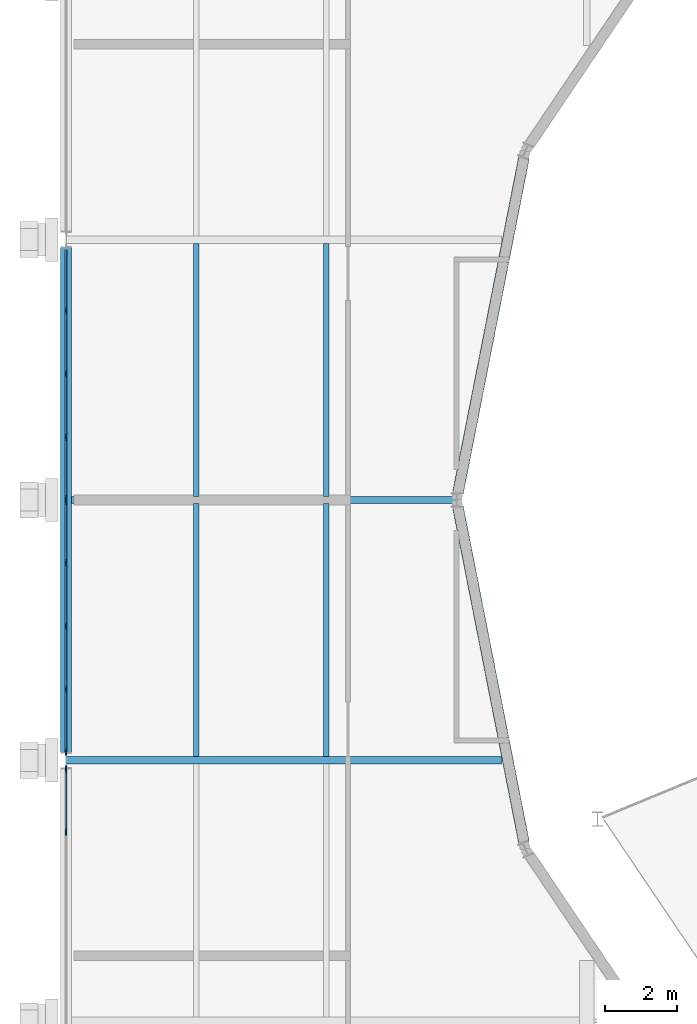
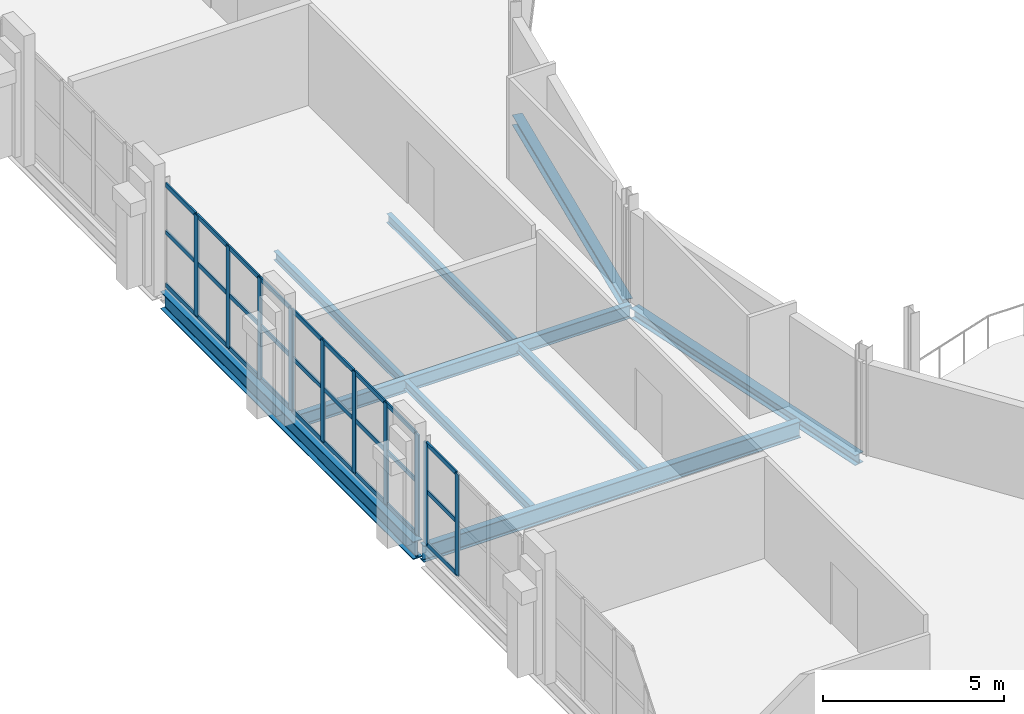
# One storey, part 35 of 124: 38 members, 9 beams, 3 elements without a shape of their own.
"""IFC4 building model written with IfcOpenShell, lengths in metres."""

from ifc_helpers import new_model, si_unit, direction, frame, origin, origin_2d, place, context, subcontext, project, spatial, rectangle, i_section, extrude, material, material_profile, profile_set, type_object, element, aggregate, save


model = new_model("IFC4")

# Units and contexts
model_context = context("Model", 3, precision=1e-05, world=origin(), true_north=direction((0.0, 1.0)))
body_context = subcontext(model_context, "Body", "Model", "MODEL_VIEW")
ifc_project = project(units=[si_unit("LENGTHUNIT", "METRE"), si_unit("AREAUNIT", "SQUARE_METRE"), si_unit("VOLUMEUNIT", "CUBIC_METRE"), si_unit("PLANEANGLEUNIT", "RADIAN"), si_unit("MASSUNIT", "GRAM", prefix="KILO")], contexts=[model_context])

# Site, building, storey
site_placement = place(None, origin())
site = spatial("IfcSite", under=ifc_project, at=site_placement, CompositionType="ELEMENT")
building_placement = place(site_placement, origin())
building = spatial("IfcBuilding", under=site, at=building_placement, Name="Kupolbacken Congress Centre", CompositionType="ELEMENT")
storey_placement = place(building_placement, frame((0.0, 0.0, 10.800048828125)))
storey = spatial("IfcBuildingStorey", under=building, at=storey_placement, Name="L03", CompositionType="ELEMENT", Elevation=10.800048828125)

# Beams
ifc_material_1 = material(Name="Steel S355", Category="steel")
ifc_material_profile_1 = material_profile(ifc_material_1, i_section(OverallWidth=0.14990234375, OverallDepth=0.300048828125, WebThickness=0.007080078125, FlangeThickness=0.0107421875, FilletRadius=0.014892578125, at=origin_2d()), Name="IPE 300")
ifc_profile_set_1 = profile_set([ifc_material_profile_1], Name="Steel S355")
beam_type_1 = type_object("IfcBeamType", Name="B04 beam IPE 300", PredefinedType="BEAM", material=ifc_profile_set_1)
for number, where, z_axis, x_axis, name in (
    (1, (10.800048828125, 79.304931640625, -0.330078125), (0.0, 1.0, 0.0), (-1.0, 0.0, 0.0), "S/floor/P/L03/S079"),
    (2, (10.800048828125, 86.4951171875, -0.330078125), (0.0, 1.0, 0.0), (-1.0, 0.0, 0.0), "S/floor/P/L03/S080"),
    (3, (14.39990234375, 79.304931640625, -0.330078125), (0.0, 1.0, 0.0), (-1.0, 0.0, 0.0), "S/floor/P/L03/S089"),
    (4, (14.39990234375, 86.4951171875, -0.330078125), (0.0, 1.0, 0.0), (-1.0, 0.0, 0.0), "S/floor/P/L03/S090"),
):
    element("IfcBeam", number, at=place(storey_placement, frame(where, z_axis=z_axis, x_axis=x_axis)), inside=storey, type_object=beam_type_1, Name=name, PredefinedType="BEAM", context=body_context, shape_type="SweptSolid", body=[
        extrude(i_section(OverallWidth=0.14990234375, OverallDepth=0.300048828125, WebThickness=0.007080078125, FlangeThickness=0.0107421875, FilletRadius=0.014892578125, at=origin_2d()), origin(), (0.0, 0.0, 1.0), 7.0),
    ])
ifc_material_2 = material(Name="Steel S355", Category="steel")
ifc_material_profile_2 = material_profile(ifc_material_2, i_section(OverallWidth=0.18994140625, OverallDepth=0.449951171875, WebThickness=0.009521484375, FlangeThickness=0.0146484375, FilletRadius=0.02099609375, at=origin_2d()), Name="IPE 450")
ifc_profile_set_2 = profile_set([ifc_material_profile_2], Name="Steel S355")
beam_type_2 = type_object("IfcBeamType", Name="B08 beam IPE 450", PredefinedType="BEAM", material=ifc_profile_set_2)
beam_1_placement = place(storey_placement, frame((7.35009765625, 86.39990234375, -0.405029296875), z_axis=(1.0, 0.0, 0.0), x_axis=(0.0, 1.0, 0.0)))
element("IfcBeam", 5, at=beam_1_placement, inside=storey, type_object=beam_type_2, Name="S/floor/P/L03/R053", PredefinedType="BEAM", context=body_context, shape_type="SweptSolid", body=[
    extrude(i_section(OverallWidth=0.18994140625, OverallDepth=0.449951171875, WebThickness=0.009521484375, FlangeThickness=0.0146484375, FilletRadius=0.02099609375, at=origin_2d()), origin(), (0.0, 0.0, 1.0), 10.64306640625),
])
ifc_material_3 = material(Name="Steel S355", Category="steel")
ifc_material_profile_3 = material_profile(ifc_material_3, i_section(OverallWidth=0.2099609375, OverallDepth=0.550048828125, WebThickness=0.010986328125, FlangeThickness=0.01708984375, FilletRadius=0.02392578125, at=origin_2d()), Name="IPE 550")
ifc_profile_set_3 = profile_set([ifc_material_profile_3], Name="Steel S355")
beam_type_3 = type_object("IfcBeamType", Name="B10 beam IPE 550", PredefinedType="BEAM", material=ifc_profile_set_3)
beam_2_placement = place(storey_placement, frame((7.20703125, 79.199951171875, -0.455078125), z_axis=(1.0, 0.0, 0.0), x_axis=(0.0, 1.0, 0.0)))
element("IfcBeam", 6, at=beam_2_placement, inside=storey, type_object=beam_type_3, Name="S/floor/P/L03/R051", PredefinedType="BEAM", context=body_context, shape_type="SweptSolid", body=[
    extrude(i_section(OverallWidth=0.2099609375, OverallDepth=0.550048828125, WebThickness=0.010986328125, FlangeThickness=0.01708984375, FilletRadius=0.02392578125, at=origin_2d()), origin(), (0.0, 0.0, 1.0), 12.037109375),
])
ifc_material_4 = material(Name="Steel S355", Category="steel")
ifc_material_profile_4 = material_profile(ifc_material_4, i_section(OverallWidth=0.300048828125, OverallDepth=0.35009765625, WebThickness=0.010009765625, FlangeThickness=0.017578125, FilletRadius=0.027099609375, at=origin_2d()), Name="HEA 360")
ifc_profile_set_4 = profile_set([ifc_material_profile_4], Name="Steel S355")
beam_type_4 = type_object("IfcBeamType", Name="B13 beam HEA 360", PredefinedType="BEAM", material=ifc_profile_set_4)
for number, where, z_axis, x_axis, name in (
    (7, (19.860595703125, 95.849853515625, -0.35498046875), (-0.193191886678, -0.981160993376, 0.0), (0.981160993376, -0.193191886678, 0.0), "S/floor/P/L03/C008"),
    (8, (18.039306640625, 86.199951171875, -0.35498046875), (0.193191886678, -0.981160993376, 0.0), (0.981160993376, 0.193191886678, 0.0), "S/floor/P/L03/C009"),
):
    element("IfcBeam", number, at=place(storey_placement, frame(where, z_axis=z_axis, x_axis=x_axis)), inside=storey, type_object=beam_type_4, Name=name, PredefinedType="BEAM", context=body_context, shape_type="SweptSolid", body=[
        extrude(i_section(OverallWidth=0.300048828125, OverallDepth=0.35009765625, WebThickness=0.010009765625, FlangeThickness=0.017578125, FilletRadius=0.027099609375, at=origin_2d()), origin(), (0.0, 0.0, 1.0), 9.42724609375),
    ])
ifc_material_5 = material(Name="Steel S355", Category="steel")
ifc_material_profile_5 = material_profile(ifc_material_5, i_section(OverallWidth=0.300048828125, OverallDepth=0.60009765625, WebThickness=0.015380859375, FlangeThickness=0.030029296875, FilletRadius=0.027099609375, at=origin_2d()), Name="HEB 600")
ifc_profile_set_5 = profile_set([ifc_material_profile_5], Name="Steel S355")
beam_type_5 = type_object("IfcBeamType", Name="B15 beam HEB 600", PredefinedType="BEAM", material=ifc_profile_set_5)
beam_3_placement = place(storey_placement, frame((7.199951171875, 79.425048828125, -0.47998046875), z_axis=(0.0, 1.0, 0.0), x_axis=(-1.0, 0.0, 0.0)))
element("IfcBeam", 9, at=beam_3_placement, inside=storey, type_object=beam_type_5, Name="S/floor/P/L03/G019", PredefinedType="BEAM", context=body_context, shape_type="SweptSolid", body=[
    extrude(i_section(OverallWidth=0.300048828125, OverallDepth=0.60009765625, WebThickness=0.015380859375, FlangeThickness=0.030029296875, FilletRadius=0.027099609375, at=origin_2d()), origin(), (0.0, 0.0, 1.0), 13.949951171875),
])

# Curtain wall, members
ifc_material_6 = material(Name="Aluminium mullion-transom frame with glass", Category="aluminium")
curtain_wall_type = type_object("IfcCurtainWallType", Name="CW1 curtain wall 7200x3600", PredefinedType="NOTDEFINED", material=ifc_material_6)
curtain_wall_1_placement = place(storey_placement, origin())
curtain_wall_1 = element("IfcCurtainWall", 10, at=curtain_wall_1_placement, inside=storey, type_object=curtain_wall_type, Name="E/P/W/L03/389", PredefinedType="NOTDEFINED")
ifc_material_7 = material(Name="Aluminium alloy", Category="aluminium")
ifc_material_profile_6 = material_profile(ifc_material_7, rectangle(XDim=0.050048828125, YDim=0.199951171875, at=origin_2d()), Name="50 x 200")
ifc_profile_set_6 = profile_set([ifc_material_profile_6], Name="Aluminium alloy")
member_type_1 = type_object("IfcMemberType", Name="MU2 mullion 50x200", PredefinedType="MULLION", material=ifc_profile_set_6)
member_1_placement = place(storey_placement, frame((7.199951171875, 91.63134765625, 0.0), z_axis=(0.0, 0.0, 1.0), x_axis=(1.0, 0.0, 0.0)))
member_1 = element("IfcMember", 11, at=member_1_placement, type_object=member_type_1, Name="CW1 mullion 2", PredefinedType="MULLION", context=body_context, shape_type="SweptSolid", body=[
    extrude(rectangle(XDim=0.050048828125, YDim=0.199951171875, at=origin_2d()), origin(), (0.0, 0.0, 1.0), 3.419921875),
])
member_2_placement = place(storey_placement, frame((7.199951171875, 89.887451171875, 0.0), z_axis=(0.0, 0.0, 1.0), x_axis=(1.0, 0.0, 0.0)))
member_2 = element("IfcMember", 12, at=member_2_placement, type_object=member_type_1, Name="CW1 mullion 3", PredefinedType="MULLION", context=body_context, shape_type="SweptSolid", body=[
    extrude(rectangle(XDim=0.050048828125, YDim=0.199951171875, at=origin_2d()), origin(), (0.0, 0.0, 1.0), 3.419921875),
])
member_3_placement = place(storey_placement, frame((7.199951171875, 88.143798828125, 0.0), z_axis=(0.0, 0.0, 1.0), x_axis=(1.0, 0.0, 0.0)))
member_3 = element("IfcMember", 13, at=member_3_placement, type_object=member_type_1, Name="CW1 mullion 4", PredefinedType="MULLION", context=body_context, shape_type="SweptSolid", body=[
    extrude(rectangle(XDim=0.050048828125, YDim=0.199951171875, at=origin_2d()), origin(), (0.0, 0.0, 1.0), 3.419921875),
])
member_4_placement = place(storey_placement, frame((7.199951171875, 86.425048828125, 0.0), z_axis=(0.0, 0.0, 1.0), x_axis=(1.0, 0.0, 0.0)))
member_4 = element("IfcMember", 14, at=member_4_placement, type_object=member_type_1, Name="CW1 mullion 5", PredefinedType="MULLION", context=body_context, shape_type="SweptSolid", body=[
    extrude(rectangle(XDim=0.050048828125, YDim=0.199951171875, at=origin_2d()), origin(), (0.0, 0.0, 1.0), 3.419921875),
])

curtain_wall_2_placement = place(storey_placement, origin())
curtain_wall_2 = element("IfcCurtainWall", 15, at=curtain_wall_2_placement, inside=storey, type_object=curtain_wall_type, Name="E/P/W/L03/390", PredefinedType="NOTDEFINED")
member_5_placement = place(storey_placement, frame((7.199951171875, 86.375, 0.0), z_axis=(0.0, 0.0, 1.0), x_axis=(1.0, 0.0, 0.0)))
member_5 = element("IfcMember", 16, at=member_5_placement, type_object=member_type_1, Name="CW1 mullion 1", PredefinedType="MULLION", context=body_context, shape_type="SweptSolid", body=[
    extrude(rectangle(XDim=0.050048828125, YDim=0.199951171875, at=origin_2d()), origin(), (0.0, 0.0, 1.0), 3.419921875),
])
member_6_placement = place(storey_placement, frame((7.199951171875, 84.65625, 0.0), z_axis=(0.0, 0.0, 1.0), x_axis=(1.0, 0.0, 0.0)))
member_6 = element("IfcMember", 17, at=member_6_placement, type_object=member_type_1, Name="CW1 mullion 2", PredefinedType="MULLION", context=body_context, shape_type="SweptSolid", body=[
    extrude(rectangle(XDim=0.050048828125, YDim=0.199951171875, at=origin_2d()), origin(), (0.0, 0.0, 1.0), 3.419921875),
])
member_7_placement = place(storey_placement, frame((7.199951171875, 82.91259765625, 0.0), z_axis=(0.0, 0.0, 1.0), x_axis=(1.0, 0.0, 0.0)))
member_7 = element("IfcMember", 18, at=member_7_placement, type_object=member_type_1, Name="CW1 mullion 3", PredefinedType="MULLION", context=body_context, shape_type="SweptSolid", body=[
    extrude(rectangle(XDim=0.050048828125, YDim=0.199951171875, at=origin_2d()), origin(), (0.0, 0.0, 1.0), 3.419921875),
])
member_8_placement = place(storey_placement, frame((7.199951171875, 81.168701171875, 0.0), z_axis=(0.0, 0.0, 1.0), x_axis=(1.0, 0.0, 0.0)))
member_8 = element("IfcMember", 19, at=member_8_placement, type_object=member_type_1, Name="CW1 mullion 4", PredefinedType="MULLION", context=body_context, shape_type="SweptSolid", body=[
    extrude(rectangle(XDim=0.050048828125, YDim=0.199951171875, at=origin_2d()), origin(), (0.0, 0.0, 1.0), 3.419921875),
])
member_9_placement = place(storey_placement, frame((7.199951171875, 79.449951171875, 0.0), z_axis=(0.0, 0.0, 1.0), x_axis=(1.0, 0.0, 0.0)))
member_9 = element("IfcMember", 20, at=member_9_placement, type_object=member_type_1, Name="CW1 mullion 5", PredefinedType="MULLION", context=body_context, shape_type="SweptSolid", body=[
    extrude(rectangle(XDim=0.050048828125, YDim=0.199951171875, at=origin_2d()), origin(), (0.0, 0.0, 1.0), 3.419921875),
])

curtain_wall_3_placement = place(storey_placement, origin())
curtain_wall_3 = element("IfcCurtainWall", 21, at=curtain_wall_3_placement, inside=storey, type_object=curtain_wall_type, Name="E/P/W/L03/391", PredefinedType="NOTDEFINED")
member_10_placement = place(storey_placement, frame((7.199951171875, 78.949951171875, 0.0), z_axis=(0.0, 0.0, 1.0), x_axis=(1.0, 0.0, 0.0)))
member_10 = element("IfcMember", 22, at=member_10_placement, type_object=member_type_1, Name="CW1 mullion 1", PredefinedType="MULLION", context=body_context, shape_type="SweptSolid", body=[
    extrude(rectangle(XDim=0.050048828125, YDim=0.199951171875, at=origin_2d()), origin(), (0.0, 0.0, 1.0), 3.419921875),
])
member_11_placement = place(storey_placement, frame((7.199951171875, 77.231201171875, 0.0), z_axis=(0.0, 0.0, 1.0), x_axis=(1.0, 0.0, 0.0)))
member_11 = element("IfcMember", 23, at=member_11_placement, type_object=member_type_1, Name="CW1 mullion 2", PredefinedType="MULLION", context=body_context, shape_type="SweptSolid", body=[
    extrude(rectangle(XDim=0.050048828125, YDim=0.199951171875, at=origin_2d()), origin(), (0.0, 0.0, 1.0), 3.419921875),
])

# Member
ifc_material_8 = material(Name="Aluminium alloy", Category="aluminium")
ifc_material_profile_7 = material_profile(ifc_material_8, rectangle(XDim=0.050048828125, YDim=0.14990234375, at=origin_2d()), Name="50 x 150")
ifc_profile_set_7 = profile_set([ifc_material_profile_7], Name="Aluminium alloy")
member_type_2 = type_object("IfcMemberType", Name="TR2 transom 50x150", PredefinedType="MULLION", material=ifc_profile_set_7)
member_12_placement = place(storey_placement, frame((7.199951171875, 93.324951171875, 0.02490234375), z_axis=(0.0, -1.0, 0.0), x_axis=(1.0, 0.0, 0.0)))
member_12 = element("IfcMember", 24, at=member_12_placement, type_object=member_type_2, Name="CW1 transom 1.1", PredefinedType="MULLION", context=body_context, shape_type="SweptSolid", body=[
    extrude(rectangle(XDim=0.050048828125, YDim=0.14990234375, at=origin_2d()), origin(), (0.0, 0.0, 1.0), 1.668701171875),
])

member_13_placement = place(storey_placement, frame((7.199951171875, 93.324951171875, 1.800048828125), z_axis=(0.0, -1.0, 0.0), x_axis=(1.0, 0.0, 0.0)))
member_13 = element("IfcMember", 25, at=member_13_placement, type_object=member_type_2, Name="CW1 transom 1.2", PredefinedType="MULLION", context=body_context, shape_type="SweptSolid", body=[
    extrude(rectangle(XDim=0.050048828125, YDim=0.14990234375, at=origin_2d()), origin(), (0.0, 0.0, 1.0), 1.668701171875),
])

member_14_placement = place(storey_placement, frame((7.199951171875, 93.324951171875, 3.39501953125), z_axis=(0.0, -1.0, 0.0), x_axis=(1.0, 0.0, 0.0)))
member_14 = element("IfcMember", 26, at=member_14_placement, type_object=member_type_2, Name="CW1 transom 1.3", PredefinedType="MULLION", context=body_context, shape_type="SweptSolid", body=[
    extrude(rectangle(XDim=0.050048828125, YDim=0.14990234375, at=origin_2d()), origin(), (0.0, 0.0, 1.0), 1.668701171875),
])

member_15_placement = place(storey_placement, frame((7.199951171875, 91.606201171875, 0.02490234375), z_axis=(0.0, -1.0, 0.0), x_axis=(1.0, 0.0, 0.0)))
member_15 = element("IfcMember", 27, at=member_15_placement, type_object=member_type_2, Name="CW1 transom 2.1", PredefinedType="MULLION", context=body_context, shape_type="SweptSolid", body=[
    extrude(rectangle(XDim=0.050048828125, YDim=0.14990234375, at=origin_2d()), origin(), (0.0, 0.0, 1.0), 1.693603515625),
])

member_16_placement = place(storey_placement, frame((7.199951171875, 91.606201171875, 1.800048828125), z_axis=(0.0, -1.0, 0.0), x_axis=(1.0, 0.0, 0.0)))
member_16 = element("IfcMember", 28, at=member_16_placement, type_object=member_type_2, Name="CW1 transom 2.2", PredefinedType="MULLION", context=body_context, shape_type="SweptSolid", body=[
    extrude(rectangle(XDim=0.050048828125, YDim=0.14990234375, at=origin_2d()), origin(), (0.0, 0.0, 1.0), 1.693603515625),
])

member_17_placement = place(storey_placement, frame((7.199951171875, 91.606201171875, 3.39501953125), z_axis=(0.0, -1.0, 0.0), x_axis=(1.0, 0.0, 0.0)))
member_17 = element("IfcMember", 29, at=member_17_placement, type_object=member_type_2, Name="CW1 transom 2.3", PredefinedType="MULLION", context=body_context, shape_type="SweptSolid", body=[
    extrude(rectangle(XDim=0.050048828125, YDim=0.14990234375, at=origin_2d()), origin(), (0.0, 0.0, 1.0), 1.693603515625),
])

member_18_placement = place(storey_placement, frame((7.199951171875, 89.862548828125, 0.02490234375), z_axis=(0.0, -1.0, 0.0), x_axis=(1.0, 0.0, 0.0)))
member_18 = element("IfcMember", 30, at=member_18_placement, type_object=member_type_2, Name="CW1 transom 3.1", PredefinedType="MULLION", context=body_context, shape_type="SweptSolid", body=[
    extrude(rectangle(XDim=0.050048828125, YDim=0.14990234375, at=origin_2d()), origin(), (0.0, 0.0, 1.0), 1.69384765625),
])

member_19_placement = place(storey_placement, frame((7.199951171875, 89.862548828125, 1.800048828125), z_axis=(0.0, -1.0, 0.0), x_axis=(1.0, 0.0, 0.0)))
member_19 = element("IfcMember", 31, at=member_19_placement, type_object=member_type_2, Name="CW1 transom 3.2", PredefinedType="MULLION", context=body_context, shape_type="SweptSolid", body=[
    extrude(rectangle(XDim=0.050048828125, YDim=0.14990234375, at=origin_2d()), origin(), (0.0, 0.0, 1.0), 1.69384765625),
])

member_20_placement = place(storey_placement, frame((7.199951171875, 89.862548828125, 3.39501953125), z_axis=(0.0, -1.0, 0.0), x_axis=(1.0, 0.0, 0.0)))
member_20 = element("IfcMember", 32, at=member_20_placement, type_object=member_type_2, Name="CW1 transom 3.3", PredefinedType="MULLION", context=body_context, shape_type="SweptSolid", body=[
    extrude(rectangle(XDim=0.050048828125, YDim=0.14990234375, at=origin_2d()), origin(), (0.0, 0.0, 1.0), 1.69384765625),
])

member_21_placement = place(storey_placement, frame((7.199951171875, 88.11865234375, 0.02490234375), z_axis=(0.0, -1.0, 0.0), x_axis=(1.0, 0.0, 0.0)))
member_21 = element("IfcMember", 33, at=member_21_placement, type_object=member_type_2, Name="CW1 transom 4.1", PredefinedType="MULLION", context=body_context, shape_type="SweptSolid", body=[
    extrude(rectangle(XDim=0.050048828125, YDim=0.14990234375, at=origin_2d()), origin(), (0.0, 0.0, 1.0), 1.668701171875),
])

member_22_placement = place(storey_placement, frame((7.199951171875, 88.11865234375, 1.800048828125), z_axis=(0.0, -1.0, 0.0), x_axis=(1.0, 0.0, 0.0)))
member_22 = element("IfcMember", 34, at=member_22_placement, type_object=member_type_2, Name="CW1 transom 4.2", PredefinedType="MULLION", context=body_context, shape_type="SweptSolid", body=[
    extrude(rectangle(XDim=0.050048828125, YDim=0.14990234375, at=origin_2d()), origin(), (0.0, 0.0, 1.0), 1.668701171875),
])

member_23_placement = place(storey_placement, frame((7.199951171875, 88.11865234375, 3.39501953125), z_axis=(0.0, -1.0, 0.0), x_axis=(1.0, 0.0, 0.0)))
member_23 = element("IfcMember", 35, at=member_23_placement, type_object=member_type_2, Name="CW1 transom 4.3", PredefinedType="MULLION", context=body_context, shape_type="SweptSolid", body=[
    extrude(rectangle(XDim=0.050048828125, YDim=0.14990234375, at=origin_2d()), origin(), (0.0, 0.0, 1.0), 1.668701171875),
])

aggregate(curtain_wall_1, [member_1, member_2, member_3, member_4, member_12, member_13, member_14, member_15, member_16, member_17, member_18, member_19, member_20, member_21, member_22, member_23])

member_24_placement = place(storey_placement, frame((7.199951171875, 86.35009765625, 0.02490234375), z_axis=(0.0, -1.0, 0.0), x_axis=(1.0, 0.0, 0.0)))
member_24 = element("IfcMember", 36, at=member_24_placement, type_object=member_type_2, Name="CW1 transom 1.1", PredefinedType="MULLION", context=body_context, shape_type="SweptSolid", body=[
    extrude(rectangle(XDim=0.050048828125, YDim=0.14990234375, at=origin_2d()), origin(), (0.0, 0.0, 1.0), 1.6689453125),
])

member_25_placement = place(storey_placement, frame((7.199951171875, 86.35009765625, 1.800048828125), z_axis=(0.0, -1.0, 0.0), x_axis=(1.0, 0.0, 0.0)))
member_25 = element("IfcMember", 37, at=member_25_placement, type_object=member_type_2, Name="CW1 transom 1.2", PredefinedType="MULLION", context=body_context, shape_type="SweptSolid", body=[
    extrude(rectangle(XDim=0.050048828125, YDim=0.14990234375, at=origin_2d()), origin(), (0.0, 0.0, 1.0), 1.6689453125),
])

member_26_placement = place(storey_placement, frame((7.199951171875, 86.35009765625, 3.39501953125), z_axis=(0.0, -1.0, 0.0), x_axis=(1.0, 0.0, 0.0)))
member_26 = element("IfcMember", 38, at=member_26_placement, type_object=member_type_2, Name="CW1 transom 1.3", PredefinedType="MULLION", context=body_context, shape_type="SweptSolid", body=[
    extrude(rectangle(XDim=0.050048828125, YDim=0.14990234375, at=origin_2d()), origin(), (0.0, 0.0, 1.0), 1.6689453125),
])

member_27_placement = place(storey_placement, frame((7.199951171875, 84.63134765625, 0.02490234375), z_axis=(0.0, -1.0, 0.0), x_axis=(1.0, 0.0, 0.0)))
member_27 = element("IfcMember", 39, at=member_27_placement, type_object=member_type_2, Name="CW1 transom 2.1", PredefinedType="MULLION", context=body_context, shape_type="SweptSolid", body=[
    extrude(rectangle(XDim=0.050048828125, YDim=0.14990234375, at=origin_2d()), origin(), (0.0, 0.0, 1.0), 1.69384765625),
])

member_28_placement = place(storey_placement, frame((7.199951171875, 84.63134765625, 1.800048828125), z_axis=(0.0, -1.0, 0.0), x_axis=(1.0, 0.0, 0.0)))
member_28 = element("IfcMember", 40, at=member_28_placement, type_object=member_type_2, Name="CW1 transom 2.2", PredefinedType="MULLION", context=body_context, shape_type="SweptSolid", body=[
    extrude(rectangle(XDim=0.050048828125, YDim=0.14990234375, at=origin_2d()), origin(), (0.0, 0.0, 1.0), 1.69384765625),
])

member_29_placement = place(storey_placement, frame((7.199951171875, 84.63134765625, 3.39501953125), z_axis=(0.0, -1.0, 0.0), x_axis=(1.0, 0.0, 0.0)))
member_29 = element("IfcMember", 41, at=member_29_placement, type_object=member_type_2, Name="CW1 transom 2.3", PredefinedType="MULLION", context=body_context, shape_type="SweptSolid", body=[
    extrude(rectangle(XDim=0.050048828125, YDim=0.14990234375, at=origin_2d()), origin(), (0.0, 0.0, 1.0), 1.69384765625),
])

member_30_placement = place(storey_placement, frame((7.199951171875, 82.887451171875, 0.02490234375), z_axis=(0.0, -1.0, 0.0), x_axis=(1.0, 0.0, 0.0)))
member_30 = element("IfcMember", 42, at=member_30_placement, type_object=member_type_2, Name="CW1 transom 3.1", PredefinedType="MULLION", context=body_context, shape_type="SweptSolid", body=[
    extrude(rectangle(XDim=0.050048828125, YDim=0.14990234375, at=origin_2d()), origin(), (0.0, 0.0, 1.0), 1.693603515625),
])

member_31_placement = place(storey_placement, frame((7.199951171875, 82.887451171875, 1.800048828125), z_axis=(0.0, -1.0, 0.0), x_axis=(1.0, 0.0, 0.0)))
member_31 = element("IfcMember", 43, at=member_31_placement, type_object=member_type_2, Name="CW1 transom 3.2", PredefinedType="MULLION", context=body_context, shape_type="SweptSolid", body=[
    extrude(rectangle(XDim=0.050048828125, YDim=0.14990234375, at=origin_2d()), origin(), (0.0, 0.0, 1.0), 1.693603515625),
])

member_32_placement = place(storey_placement, frame((7.199951171875, 82.887451171875, 3.39501953125), z_axis=(0.0, -1.0, 0.0), x_axis=(1.0, 0.0, 0.0)))
member_32 = element("IfcMember", 44, at=member_32_placement, type_object=member_type_2, Name="CW1 transom 3.3", PredefinedType="MULLION", context=body_context, shape_type="SweptSolid", body=[
    extrude(rectangle(XDim=0.050048828125, YDim=0.14990234375, at=origin_2d()), origin(), (0.0, 0.0, 1.0), 1.693603515625),
])

member_33_placement = place(storey_placement, frame((7.199951171875, 81.143798828125, 0.02490234375), z_axis=(0.0, -1.0, 0.0), x_axis=(1.0, 0.0, 0.0)))
member_33 = element("IfcMember", 45, at=member_33_placement, type_object=member_type_2, Name="CW1 transom 4.1", PredefinedType="MULLION", context=body_context, shape_type="SweptSolid", body=[
    extrude(rectangle(XDim=0.050048828125, YDim=0.14990234375, at=origin_2d()), origin(), (0.0, 0.0, 1.0), 1.668701171875),
])

member_34_placement = place(storey_placement, frame((7.199951171875, 81.143798828125, 1.800048828125), z_axis=(0.0, -1.0, 0.0), x_axis=(1.0, 0.0, 0.0)))
member_34 = element("IfcMember", 46, at=member_34_placement, type_object=member_type_2, Name="CW1 transom 4.2", PredefinedType="MULLION", context=body_context, shape_type="SweptSolid", body=[
    extrude(rectangle(XDim=0.050048828125, YDim=0.14990234375, at=origin_2d()), origin(), (0.0, 0.0, 1.0), 1.668701171875),
])

member_35_placement = place(storey_placement, frame((7.199951171875, 81.143798828125, 3.39501953125), z_axis=(0.0, -1.0, 0.0), x_axis=(1.0, 0.0, 0.0)))
member_35 = element("IfcMember", 47, at=member_35_placement, type_object=member_type_2, Name="CW1 transom 4.3", PredefinedType="MULLION", context=body_context, shape_type="SweptSolid", body=[
    extrude(rectangle(XDim=0.050048828125, YDim=0.14990234375, at=origin_2d()), origin(), (0.0, 0.0, 1.0), 1.668701171875),
])

aggregate(curtain_wall_2, [member_5, member_6, member_7, member_8, member_9, member_24, member_25, member_26, member_27, member_28, member_29, member_30, member_31, member_32, member_33, member_34, member_35])

member_36_placement = place(storey_placement, frame((7.199951171875, 78.925048828125, 0.02490234375), z_axis=(0.0, -1.0, 0.0), x_axis=(1.0, 0.0, 0.0)))
member_36 = element("IfcMember", 48, at=member_36_placement, type_object=member_type_2, Name="CW1 transom 1.1", PredefinedType="MULLION", context=body_context, shape_type="SweptSolid", body=[
    extrude(rectangle(XDim=0.050048828125, YDim=0.14990234375, at=origin_2d()), origin(), (0.0, 0.0, 1.0), 1.668701171875),
])

member_37_placement = place(storey_placement, frame((7.199951171875, 78.925048828125, 1.800048828125), z_axis=(0.0, -1.0, 0.0), x_axis=(1.0, 0.0, 0.0)))
member_37 = element("IfcMember", 49, at=member_37_placement, type_object=member_type_2, Name="CW1 transom 1.2", PredefinedType="MULLION", context=body_context, shape_type="SweptSolid", body=[
    extrude(rectangle(XDim=0.050048828125, YDim=0.14990234375, at=origin_2d()), origin(), (0.0, 0.0, 1.0), 1.668701171875),
])

member_38_placement = place(storey_placement, frame((7.199951171875, 78.925048828125, 3.39501953125), z_axis=(0.0, -1.0, 0.0), x_axis=(1.0, 0.0, 0.0)))
member_38 = element("IfcMember", 50, at=member_38_placement, type_object=member_type_2, Name="CW1 transom 1.3", PredefinedType="MULLION", context=body_context, shape_type="SweptSolid", body=[
    extrude(rectangle(XDim=0.050048828125, YDim=0.14990234375, at=origin_2d()), origin(), (0.0, 0.0, 1.0), 1.668701171875),
])

aggregate(curtain_wall_3, [member_10, member_11, member_36, member_37, member_38])

save(model, "model.ifc")
